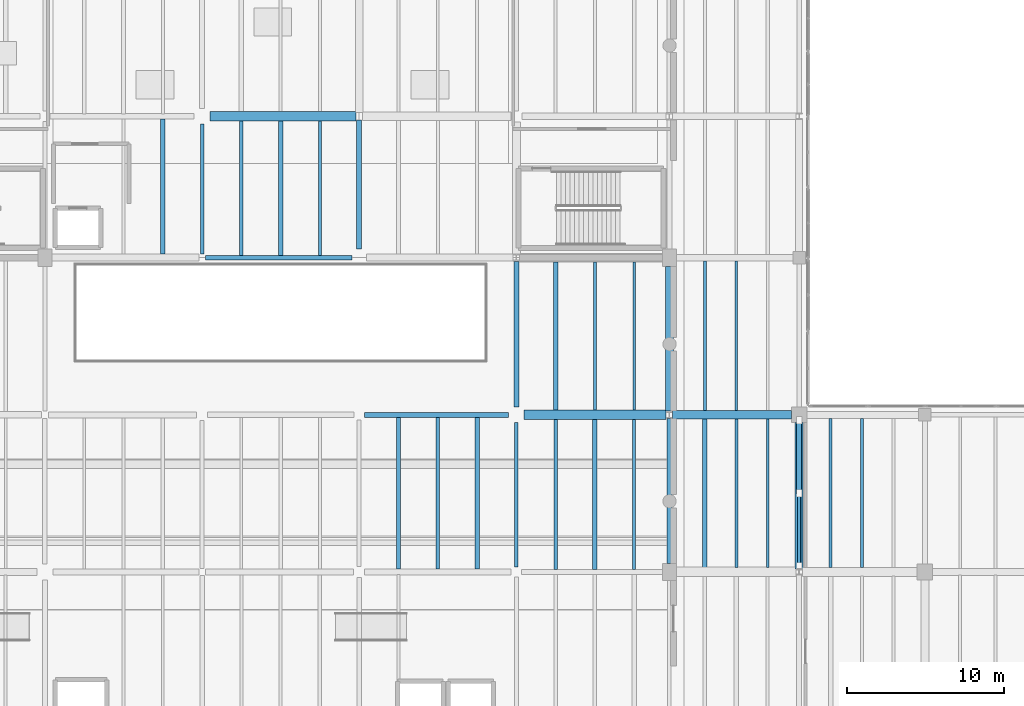
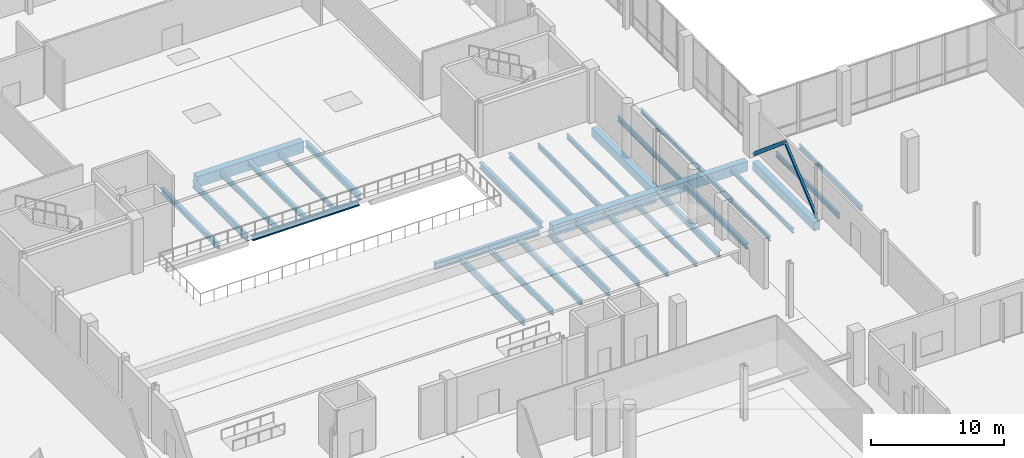
# One storey, part 44 of 88: 32 beams, 2 members.
"""IFC4 building model written with IfcOpenShell, lengths in metres."""

from ifc_helpers import new_model, si_unit, direction, frame, origin, origin_2d, place, context, subcontext, project, spatial, rectangle, hollow_rectangle, hollow_circle, i_section, extrude, material, material_profile, profile_set, type_object, element, save


model = new_model("IFC4")

# Units and contexts
model_context = context("Model", 3, precision=1e-05, world=origin(), true_north=direction((0.0, 1.0)))
body_context = subcontext(model_context, "Body", "Model", "MODEL_VIEW")
ifc_project = project(units=[si_unit("LENGTHUNIT", "METRE"), si_unit("AREAUNIT", "SQUARE_METRE"), si_unit("VOLUMEUNIT", "CUBIC_METRE"), si_unit("PLANEANGLEUNIT", "RADIAN"), si_unit("MASSUNIT", "GRAM", prefix="KILO")], contexts=[model_context])

# Site, building, storey
site_placement = place(None, origin())
site = spatial("IfcSite", under=ifc_project, at=site_placement, CompositionType="ELEMENT")
building_placement = place(site_placement, origin())
building = spatial("IfcBuilding", under=site, at=building_placement, Name="Trimount Lyric Opera House", CompositionType="ELEMENT")
storey_placement = place(building_placement, origin())
storey = spatial("IfcBuildingStorey", under=building, at=storey_placement, Name="L00", CompositionType="ELEMENT", Elevation=0.0)

# Beams
ifc_material_1 = material(Name="Steel ASTM A992 Grade 50", Category="steel")
ifc_material_profile_1 = material_profile(ifc_material_1, i_section(OverallWidth=0.327880859375, OverallDepth=0.626953125, WebThickness=0.0166015625, FlangeThickness=0.027587890625, FilletRadius=0.01611328125, at=origin_2d()), Name="W24X146")
ifc_profile_set_1 = profile_set([ifc_material_profile_1], Name="Steel ASTM A992 Grade 50")
beam_type_1 = type_object("IfcBeamType", Name="B-10", PredefinedType="BEAM", material=ifc_profile_set_1)
beam_1_placement = place(storey_placement, frame((94.324951171875, 74.0, -0.71337890625), z_axis=(1.0, 0.0, 0.0), x_axis=(0.0, 1.0, 0.0)))
element("IfcBeam", 1, at=beam_1_placement, inside=storey, type_object=beam_type_1, Name="L00 girder X-0151", PredefinedType="BEAM", context=body_context, shape_type="SweptSolid", body=[
    extrude(i_section(OverallWidth=0.327880859375, OverallDepth=0.626953125, WebThickness=0.0166015625, FlangeThickness=0.027587890625, FilletRadius=0.01611328125, at=origin_2d()), origin(), (0.0, 0.0, 1.0), 9.175048828125),
])
ifc_material_2 = material(Name="Steel ASTM A992 Grade 50", Category="steel")
ifc_material_profile_2 = material_profile(ifc_material_2, i_section(OverallWidth=0.22998046875, OverallDepth=0.616943359375, WebThickness=0.01318359375, FlangeThickness=0.022216796875, FilletRadius=0.013916015625, at=origin_2d()), Name="W24X94")
ifc_profile_set_2 = profile_set([ifc_material_profile_2], Name="Steel ASTM A992 Grade 50")
beam_type_2 = type_object("IfcBeamType", Name="B-11", PredefinedType="BEAM", material=ifc_profile_set_2)
beam_2_placement = place(storey_placement, frame((84.0, 84.232421875, -0.70849609375), z_axis=(0.0, 1.0, 0.0), x_axis=(-1.0, 0.0, 0.0)))
element("IfcBeam", 2, at=beam_2_placement, inside=storey, type_object=beam_type_2, Name="L00 girder Y-0341", PredefinedType="BEAM", context=body_context, shape_type="SweptSolid", body=[
    extrude(i_section(OverallWidth=0.22998046875, OverallDepth=0.616943359375, WebThickness=0.01318359375, FlangeThickness=0.022216796875, FilletRadius=0.013916015625, at=origin_2d()), origin(), (0.0, 0.0, 1.0), 8.267578125),
])
beam_3_placement = place(storey_placement, frame((104.0, 64.324951171875, -0.70849609375), z_axis=(0.0, 1.0, 0.0), x_axis=(-1.0, 0.0, 0.0)))
element("IfcBeam", 3, at=beam_3_placement, inside=storey, type_object=beam_type_2, Name="L00 girder Y-0364", PredefinedType="BEAM", context=body_context, shape_type="SweptSolid", body=[
    extrude(i_section(OverallWidth=0.22998046875, OverallDepth=0.616943359375, WebThickness=0.01318359375, FlangeThickness=0.022216796875, FilletRadius=0.013916015625, at=origin_2d()), origin(), (0.0, 0.0, 1.0), 9.175048828125),
])
ifc_material_3 = material(Name="Steel ASTM A992 Grade 50", Category="steel")
ifc_material_profile_3 = material_profile(ifc_material_3, i_section(OverallWidth=0.31201171875, OverallDepth=0.5458984375, WebThickness=0.013916015625, FlangeThickness=0.022216796875, FilletRadius=0.014892578125, at=origin_2d()), Name="W21X111")
ifc_profile_set_3 = profile_set([ifc_material_profile_3], Name="Steel ASTM A992 Grade 50")
beam_type_3 = type_object("IfcBeamType", Name="B-12", PredefinedType="BEAM", material=ifc_profile_set_3)
beam_4_placement = place(storey_placement, frame((94.0, 84.550048828125, -0.673095703125), z_axis=(0.0, 1.0, 0.0), x_axis=(-1.0, 0.0, 0.0)))
element("IfcBeam", 4, at=beam_4_placement, inside=storey, type_object=beam_type_3, Name="L00 girder Y-0353", PredefinedType="BEAM", context=body_context, shape_type="SweptSolid", body=[
    extrude(i_section(OverallWidth=0.31201171875, OverallDepth=0.5458984375, WebThickness=0.013916015625, FlangeThickness=0.022216796875, FilletRadius=0.014892578125, at=origin_2d()), origin(), (0.0, 0.0, 1.0), 8.217529296875),
])
beam_5_placement = place(storey_placement, frame((104.0, 74.5, -0.673095703125), z_axis=(0.0, 1.0, 0.0), x_axis=(-1.0, 0.0, 0.0)))
element("IfcBeam", 5, at=beam_5_placement, inside=storey, type_object=beam_type_3, Name="L00 girder Y-0365", PredefinedType="BEAM", context=body_context, shape_type="SweptSolid", body=[
    extrude(i_section(OverallWidth=0.31201171875, OverallDepth=0.5458984375, WebThickness=0.013916015625, FlangeThickness=0.022216796875, FilletRadius=0.014892578125, at=origin_2d()), origin(), (0.0, 0.0, 1.0), 9.267578125),
])
beam_6_placement = place(storey_placement, frame((113.739990234375, 64.550048828125, -0.673095703125), z_axis=(0.0, 1.0, 0.0), x_axis=(-1.0, 0.0, 0.0)))
element("IfcBeam", 6, at=beam_6_placement, inside=storey, type_object=beam_type_3, Name="L00 girder Y-0376", PredefinedType="BEAM", context=body_context, shape_type="SweptSolid", body=[
    extrude(i_section(OverallWidth=0.31201171875, OverallDepth=0.5458984375, WebThickness=0.013916015625, FlangeThickness=0.022216796875, FilletRadius=0.014892578125, at=origin_2d()), origin(), (0.0, 0.0, 1.0), 9.217529296875),
])
ifc_material_4 = material(Name="Concrete C40/50", Category="concrete")
ifc_material_profile_4 = material_profile(ifc_material_4, rectangle(XDim=0.60009765625, YDim=1.0, at=origin_2d()), Name="RC600X1000")
ifc_profile_set_4 = profile_set([ifc_material_profile_4], Name="Concrete C40/50")
beam_type_4 = type_object("IfcBeamType", Name="B-13", PredefinedType="BEAM", material=ifc_profile_set_4)
beam_7_placement = place(storey_placement, frame((104.5, 74.0, -0.89990234375), z_axis=(1.0, 0.0, 0.0), x_axis=(0.0, 1.0, 0.0)))
element("IfcBeam", 7, at=beam_7_placement, inside=storey, type_object=beam_type_4, Name="L00 girder X-0152", PredefinedType="BEAM", context=body_context, shape_type="SweptSolid", body=[
    extrude(rectangle(XDim=0.60009765625, YDim=1.0, at=origin_2d()), origin(), (0.0, 0.0, 1.0), 9.029052734375),
])
beam_8_placement = place(storey_placement, frame((84.5, 93.0, -0.89990234375), z_axis=(1.0, 0.0, 0.0), x_axis=(0.0, 1.0, 0.0)))
element("IfcBeam", 8, at=beam_8_placement, inside=storey, type_object=beam_type_4, Name="L00 girder X-0179", PredefinedType="BEAM", context=body_context, shape_type="SweptSolid", body=[
    extrude(rectangle(XDim=0.60009765625, YDim=1.0, at=origin_2d()), origin(), (0.0, 0.0, 1.0), 9.2890625),
])
ifc_material_5 = material(Name="Concrete C40/50", Category="concrete")
ifc_material_profile_5 = material_profile(ifc_material_5, rectangle(XDim=0.550048828125, YDim=0.89990234375, at=origin_2d()), Name="RC550X900")
ifc_profile_set_5 = profile_set([ifc_material_profile_5], Name="Concrete C40/50")
beam_type_5 = type_object("IfcBeamType", Name="B-14", PredefinedType="BEAM", material=ifc_profile_set_5)
beam_9_placement = place(storey_placement, frame((113.950927734375, 74.0, -0.85009765625), z_axis=(1.0, 0.0, 0.0), x_axis=(0.0, 1.0, 0.0)))
element("IfcBeam", 9, at=beam_9_placement, inside=storey, type_object=beam_type_5, Name="L00 girder X-0153", PredefinedType="BEAM", context=body_context, shape_type="SweptSolid", body=[
    extrude(rectangle(XDim=0.550048828125, YDim=0.89990234375, at=origin_2d()), origin(), (0.0, 0.0, 1.0), 7.549072265625),
])
ifc_material_6 = material(Name="Concrete C40/50", Category="concrete")
ifc_material_profile_6 = material_profile(ifc_material_6, rectangle(XDim=0.5, YDim=0.800048828125, at=origin_2d()), Name="RC500X800")
ifc_profile_set_6 = profile_set([ifc_material_profile_6], Name="Concrete C40/50")
beam_type_6 = type_object("IfcBeamType", Name="B-15", PredefinedType="BEAM", material=ifc_profile_set_6)
beam_10_placement = place(storey_placement, frame((113.739990234375, 74.232421875, -0.800048828125), z_axis=(0.0, 1.0, 0.0), x_axis=(-1.0, 0.0, 0.0)))
element("IfcBeam", 10, at=beam_10_placement, inside=storey, type_object=beam_type_6, Name="L00 girder Y-0377", PredefinedType="BEAM", context=body_context, shape_type="SweptSolid", body=[
    extrude(rectangle(XDim=0.5, YDim=0.800048828125, at=origin_2d()), origin(), (0.0, 0.0, 1.0), 9.217529296875),
])
beam_11_placement = place(storey_placement, frame((122.0, 64.193115234375, -0.780029296875), z_axis=(0.0, 1.0, 0.0), x_axis=(-1.0, 0.0, 0.0)))
element("IfcBeam", 11, at=beam_11_placement, inside=storey, type_object=beam_type_6, Name="L00 girder Y-0388", PredefinedType="BEAM", context=body_context, shape_type="SweptSolid", body=[
    extrude(rectangle(XDim=0.5, YDim=0.800048828125, at=origin_2d()), origin(), (0.0, 0.0, 1.0), 9.306884765625),
])

# Members
ifc_material_7 = material(Name="Steel ASTM A500 Grade C", Category="steel")
ifc_material_profile_7 = material_profile(ifc_material_7, hollow_rectangle(XDim=0.203125, YDim=0.203125, WallThickness=0.0087890625, InnerFilletRadius=0.00927734375, OuterFilletRadius=0.01806640625, at=origin_2d()), Name="HSS203.2X203.2X9.5")
ifc_profile_set_7 = profile_set([ifc_material_profile_7], Name="Steel ASTM A500 Grade C")
member_type_1 = type_object("IfcMemberType", Name="BR-04", PredefinedType="BRACE", material=ifc_profile_set_7)
member_1_placement = place(storey_placement, frame((122.0, 64.35009765625, 0.14990234375), z_axis=(0.0, 0.766173014074, 0.642634353661), x_axis=(-1.0, 0.0, 0.0)))
element("IfcMember", 12, at=member_1_placement, inside=storey, type_object=member_type_1, Name="L00 lateral chevron brace BF-3.1", PredefinedType="BRACE", context=body_context, shape_type="SweptSolid", body=[
    extrude(hollow_rectangle(XDim=0.203125, YDim=0.203125, WallThickness=0.0087890625, InnerFilletRadius=0.00927734375, OuterFilletRadius=0.01806640625, at=origin_2d()), origin(), (0.0, 0.0, 1.0), 6.069091796875),
])
ifc_material_8 = material(Name="Steel ASTM A500 Grade C", Category="steel")
ifc_material_profile_8 = material_profile(ifc_material_8, hollow_circle(Radius=0.161865234375, WallThickness=0.01171875, at=origin_2d()), Name="HSS323.9X12.7")
ifc_profile_set_8 = profile_set([ifc_material_profile_8], Name="Steel ASTM A500 Grade C")
member_type_2 = type_object("IfcMemberType", Name="BR-05", PredefinedType="BRACE", material=ifc_profile_set_8)
member_2_placement = place(storey_placement, frame((122.0, 73.64990234375, 0.14990234375), z_axis=(0.0, -0.766173014074, 0.642634353661), x_axis=(1.0, 0.0, 0.0)))
element("IfcMember", 13, at=member_2_placement, inside=storey, type_object=member_type_2, Name="L00 lateral chevron brace BF-3.2", PredefinedType="BRACE", context=body_context, shape_type="SweptSolid", body=[
    extrude(hollow_circle(Radius=0.161865234375, WallThickness=0.01171875, at=origin_2d()), origin(), (0.0, 0.0, 1.0), 6.069091796875),
])

# Beams
ifc_material_9 = material(Name="Steel ASTM A992 Grade 50", Category="steel")
ifc_material_profile_9 = material_profile(ifc_material_9, i_section(OverallWidth=0.22802734375, OverallDepth=0.60205078125, WebThickness=0.010498046875, FlangeThickness=0.014892578125, FilletRadius=0.012939453125, at=origin_2d()), Name="W24X68")
ifc_profile_set_9 = profile_set([ifc_material_profile_9], Name="Steel ASTM A992 Grade 50")
beam_type_7 = type_object("IfcBeamType", Name="J-01", PredefinedType="BEAM", material=ifc_profile_set_9)
beam_12_placement = place(storey_placement, frame((96.5, 64.174072265625, -0.700927734375), z_axis=(0.0, 1.0, 0.0), x_axis=(-1.0, 0.0, 0.0)))
element("IfcBeam", 14, at=beam_12_placement, inside=storey, type_object=beam_type_7, Name="L00 composite floor joist 0297", PredefinedType="BEAM", context=body_context, shape_type="SweptSolid", body=[
    extrude(i_section(OverallWidth=0.22802734375, OverallDepth=0.60205078125, WebThickness=0.010498046875, FlangeThickness=0.014892578125, FilletRadius=0.012939453125, at=origin_2d()), origin(), (0.0, 0.0, 1.0), 9.666015625),
])
ifc_material_10 = material(Name="Steel ASTM A992 Grade 50", Category="steel")
ifc_material_profile_10 = material_profile(ifc_material_10, i_section(OverallWidth=0.2099609375, OverallDepth=0.532958984375, WebThickness=0.01025390625, FlangeThickness=0.015625, FilletRadius=0.012939453125, at=origin_2d()), Name="W21X62")
ifc_profile_set_10 = profile_set([ifc_material_profile_10], Name="Steel ASTM A992 Grade 50")
beam_type_8 = type_object("IfcBeamType", Name="J-02", PredefinedType="BEAM", material=ifc_profile_set_10)
beam_13_placement = place(storey_placement, frame((86.5, 84.136962890625, -0.66650390625), z_axis=(0.0, 1.0, 0.0), x_axis=(-1.0, 0.0, 0.0)))
element("IfcBeam", 15, at=beam_13_placement, inside=storey, type_object=beam_type_8, Name="L00 composite floor joist 0266", PredefinedType="BEAM", context=body_context, shape_type="SweptSolid", body=[
    extrude(i_section(OverallWidth=0.2099609375, OverallDepth=0.532958984375, WebThickness=0.01025390625, FlangeThickness=0.015625, FilletRadius=0.012939453125, at=origin_2d()), origin(), (0.0, 0.0, 1.0), 8.567138671875),
])
beam_14_placement = place(storey_placement, frame((99.0, 64.174072265625, -0.66650390625), z_axis=(0.0, 1.0, 0.0), x_axis=(-1.0, 0.0, 0.0)))
element("IfcBeam", 16, at=beam_14_placement, inside=storey, type_object=beam_type_8, Name="L00 composite floor joist 0298", PredefinedType="BEAM", context=body_context, shape_type="SweptSolid", body=[
    extrude(i_section(OverallWidth=0.2099609375, OverallDepth=0.532958984375, WebThickness=0.01025390625, FlangeThickness=0.015625, FilletRadius=0.012939453125, at=origin_2d()), origin(), (0.0, 0.0, 1.0), 9.666015625),
])
beam_15_placement = place(storey_placement, frame((106.5, 64.159912109375, -0.66650390625), z_axis=(0.0, 1.0, 0.0), x_axis=(-1.0, 0.0, 0.0)))
element("IfcBeam", 17, at=beam_15_placement, inside=storey, type_object=beam_type_8, Name="L00 composite floor joist 0327", PredefinedType="BEAM", context=body_context, shape_type="SweptSolid", body=[
    extrude(i_section(OverallWidth=0.2099609375, OverallDepth=0.532958984375, WebThickness=0.01025390625, FlangeThickness=0.015625, FilletRadius=0.012939453125, at=origin_2d()), origin(), (0.0, 0.0, 1.0), 9.544189453125),
])
ifc_material_11 = material(Name="Steel ASTM A992 Grade 50", Category="steel")
ifc_material_profile_11 = material_profile(ifc_material_11, i_section(OverallWidth=0.281982421875, OverallDepth=0.467041015625, WebThickness=0.01220703125, FlangeThickness=0.01953125, FilletRadius=0.012939453125, at=origin_2d()), Name="W18X86")
ifc_profile_set_11 = profile_set([ifc_material_profile_11], Name="Steel ASTM A992 Grade 50")
beam_type_9 = type_object("IfcBeamType", Name="J-03", PredefinedType="BEAM", material=ifc_profile_set_11)
beam_16_placement = place(storey_placement, frame((81.5, 84.220947265625, -0.633544921875), z_axis=(0.0, 1.0, 0.0), x_axis=(-1.0, 0.0, 0.0)))
element("IfcBeam", 18, at=beam_16_placement, inside=storey, type_object=beam_type_9, Name="L00 composite floor joist 0238", PredefinedType="BEAM", context=body_context, shape_type="SweptSolid", body=[
    extrude(i_section(OverallWidth=0.281982421875, OverallDepth=0.467041015625, WebThickness=0.01220703125, FlangeThickness=0.01953125, FilletRadius=0.012939453125, at=origin_2d()), origin(), (0.0, 0.0, 1.0), 8.619140625),
])
beam_17_placement = place(storey_placement, frame((89.0, 84.136962890625, -0.633544921875), z_axis=(0.0, 1.0, 0.0), x_axis=(-1.0, 0.0, 0.0)))
element("IfcBeam", 19, at=beam_17_placement, inside=storey, type_object=beam_type_9, Name="L00 composite floor joist 0267", PredefinedType="BEAM", context=body_context, shape_type="SweptSolid", body=[
    extrude(i_section(OverallWidth=0.281982421875, OverallDepth=0.467041015625, WebThickness=0.01220703125, FlangeThickness=0.01953125, FilletRadius=0.012939453125, at=origin_2d()), origin(), (0.0, 0.0, 1.0), 8.567138671875),
])
beam_18_placement = place(storey_placement, frame((101.5, 64.174072265625, -0.633544921875), z_axis=(0.0, 1.0, 0.0), x_axis=(-1.0, 0.0, 0.0)))
element("IfcBeam", 20, at=beam_18_placement, inside=storey, type_object=beam_type_9, Name="L00 composite floor joist 0299", PredefinedType="BEAM", context=body_context, shape_type="SweptSolid", body=[
    extrude(i_section(OverallWidth=0.281982421875, OverallDepth=0.467041015625, WebThickness=0.01220703125, FlangeThickness=0.01953125, FilletRadius=0.012939453125, at=origin_2d()), origin(), (0.0, 0.0, 1.0), 9.666015625),
])
beam_19_placement = place(storey_placement, frame((109.0, 64.159912109375, -0.633544921875), z_axis=(0.0, 1.0, 0.0), x_axis=(-1.0, 0.0, 0.0)))
element("IfcBeam", 21, at=beam_19_placement, inside=storey, type_object=beam_type_9, Name="L00 composite floor joist 0328", PredefinedType="BEAM", context=body_context, shape_type="SweptSolid", body=[
    extrude(i_section(OverallWidth=0.281982421875, OverallDepth=0.467041015625, WebThickness=0.01220703125, FlangeThickness=0.01953125, FilletRadius=0.012939453125, at=origin_2d()), origin(), (0.0, 0.0, 1.0), 9.544189453125),
])
for number, where, z_axis, x_axis, name in (
    (22, (106.5, 74.2958984375, -0.633544921875), (0.0, 1.0, 0.0), (-1.0, 0.0, 0.0), "L00 composite floor joist 0330"),
    (23, (116.0, 64.2958984375, -0.613525390625), (0.0, 1.0, 0.0), (-1.0, 0.0, 0.0), "L00 composite floor joist 0357"),
):
    element("IfcBeam", number, at=place(storey_placement, frame(where, z_axis=z_axis, x_axis=x_axis)), inside=storey, type_object=beam_type_9, Name=name, PredefinedType="BEAM", context=body_context, shape_type="SweptSolid", body=[
        extrude(i_section(OverallWidth=0.281982421875, OverallDepth=0.467041015625, WebThickness=0.01220703125, FlangeThickness=0.01953125, FilletRadius=0.012939453125, at=origin_2d()), origin(), (0.0, 0.0, 1.0), 9.43310546875),
    ])
ifc_material_12 = material(Name="Steel ASTM A992 Grade 50", Category="steel")
ifc_material_profile_12 = material_profile(ifc_material_12, i_section(OverallWidth=0.19091796875, OverallDepth=0.45703125, WebThickness=0.009033203125, FlangeThickness=0.014404296875, FilletRadius=0.010986328125, at=origin_2d()), Name="W18X50")
ifc_profile_set_12 = profile_set([ifc_material_profile_12], Name="Steel ASTM A992 Grade 50")
beam_type_10 = type_object("IfcBeamType", Name="J-04", PredefinedType="BEAM", material=ifc_profile_set_12)
beam_20_placement = place(storey_placement, frame((91.5, 84.136962890625, -0.62841796875), z_axis=(0.0, 1.0, 0.0), x_axis=(-1.0, 0.0, 0.0)))
element("IfcBeam", 24, at=beam_20_placement, inside=storey, type_object=beam_type_10, Name="L00 composite floor joist 0268", PredefinedType="BEAM", context=body_context, shape_type="SweptSolid", body=[
    extrude(i_section(OverallWidth=0.19091796875, OverallDepth=0.45703125, WebThickness=0.009033203125, FlangeThickness=0.014404296875, FilletRadius=0.010986328125, at=origin_2d()), origin(), (0.0, 0.0, 1.0), 8.567138671875),
])
beam_21_placement = place(storey_placement, frame((111.5, 64.159912109375, -0.62841796875), z_axis=(0.0, 1.0, 0.0), x_axis=(-1.0, 0.0, 0.0)))
element("IfcBeam", 25, at=beam_21_placement, inside=storey, type_object=beam_type_10, Name="L00 composite floor joist 0329", PredefinedType="BEAM", context=body_context, shape_type="SweptSolid", body=[
    extrude(i_section(OverallWidth=0.19091796875, OverallDepth=0.45703125, WebThickness=0.009033203125, FlangeThickness=0.014404296875, FilletRadius=0.010986328125, at=origin_2d()), origin(), (0.0, 0.0, 1.0), 9.544189453125),
])
for number, where, z_axis, x_axis, name in (
    (26, (109.0, 74.2958984375, -0.62841796875), (0.0, 1.0, 0.0), (-1.0, 0.0, 0.0), "L00 composite floor joist 0331"),
    (27, (118.0, 64.2958984375, -0.6083984375), (0.0, 1.0, 0.0), (-1.0, 0.0, 0.0), "L00 composite floor joist 0358"),
):
    element("IfcBeam", number, at=place(storey_placement, frame(where, z_axis=z_axis, x_axis=x_axis)), inside=storey, type_object=beam_type_10, Name=name, PredefinedType="BEAM", context=body_context, shape_type="SweptSolid", body=[
        extrude(i_section(OverallWidth=0.19091796875, OverallDepth=0.45703125, WebThickness=0.009033203125, FlangeThickness=0.014404296875, FilletRadius=0.010986328125, at=origin_2d()), origin(), (0.0, 0.0, 1.0), 9.43310546875),
    ])
beam_22_placement = place(storey_placement, frame((116.0, 74.27099609375, -0.6083984375), z_axis=(0.0, 1.0, 0.0), x_axis=(-1.0, 0.0, 0.0)))
element("IfcBeam", 28, at=beam_22_placement, inside=storey, type_object=beam_type_10, Name="L00 composite floor joist 0360", PredefinedType="BEAM", context=body_context, shape_type="SweptSolid", body=[
    extrude(i_section(OverallWidth=0.19091796875, OverallDepth=0.45703125, WebThickness=0.009033203125, FlangeThickness=0.014404296875, FilletRadius=0.010986328125, at=origin_2d()), origin(), (0.0, 0.0, 1.0), 9.5234375),
])
beam_23_placement = place(storey_placement, frame((124.0, 64.27099609375, -0.6083984375), z_axis=(0.0, 1.0, 0.0), x_axis=(-1.0, 0.0, 0.0)))
element("IfcBeam", 29, at=beam_23_placement, inside=storey, type_object=beam_type_10, Name="L00 composite floor joist 0390", PredefinedType="BEAM", context=body_context, shape_type="SweptSolid", body=[
    extrude(i_section(OverallWidth=0.19091796875, OverallDepth=0.45703125, WebThickness=0.009033203125, FlangeThickness=0.014404296875, FilletRadius=0.010986328125, at=origin_2d()), origin(), (0.0, 0.0, 1.0), 9.508056640625),
])
ifc_material_13 = material(Name="Steel ASTM A992 Grade 50", Category="steel")
ifc_material_profile_13 = material_profile(ifc_material_13, i_section(OverallWidth=0.180908203125, OverallDepth=0.4169921875, WebThickness=0.010986328125, FlangeThickness=0.018310546875, FilletRadius=0.010986328125, at=origin_2d()), Name="W16X57")
ifc_profile_set_13 = profile_set([ifc_material_profile_13], Name="Steel ASTM A992 Grade 50")
beam_type_11 = type_object("IfcBeamType", Name="J-05", PredefinedType="BEAM", material=ifc_profile_set_13)
for number, where, z_axis, x_axis, name in (
    (30, (111.5, 74.2958984375, -0.6083984375), (0.0, 1.0, 0.0), (-1.0, 0.0, 0.0), "L00 composite floor joist 0332"),
    (31, (120.0, 64.2958984375, -0.58837890625), (0.0, 1.0, 0.0), (-1.0, 0.0, 0.0), "L00 composite floor joist 0359"),
):
    element("IfcBeam", number, at=place(storey_placement, frame(where, z_axis=z_axis, x_axis=x_axis)), inside=storey, type_object=beam_type_11, Name=name, PredefinedType="BEAM", context=body_context, shape_type="SweptSolid", body=[
        extrude(i_section(OverallWidth=0.180908203125, OverallDepth=0.4169921875, WebThickness=0.010986328125, FlangeThickness=0.018310546875, FilletRadius=0.010986328125, at=origin_2d()), origin(), (0.0, 0.0, 1.0), 9.43310546875),
    ])
beam_24_placement = place(storey_placement, frame((118.0, 74.27099609375, -0.58837890625), z_axis=(0.0, 1.0, 0.0), x_axis=(-1.0, 0.0, 0.0)))
element("IfcBeam", 32, at=beam_24_placement, inside=storey, type_object=beam_type_11, Name="L00 composite floor joist 0361", PredefinedType="BEAM", context=body_context, shape_type="SweptSolid", body=[
    extrude(i_section(OverallWidth=0.180908203125, OverallDepth=0.4169921875, WebThickness=0.010986328125, FlangeThickness=0.018310546875, FilletRadius=0.010986328125, at=origin_2d()), origin(), (0.0, 0.0, 1.0), 9.5234375),
])
beam_25_placement = place(storey_placement, frame((126.0, 64.27099609375, -0.58837890625), z_axis=(0.0, 1.0, 0.0), x_axis=(-1.0, 0.0, 0.0)))
element("IfcBeam", 33, at=beam_25_placement, inside=storey, type_object=beam_type_11, Name="L00 composite floor joist 0391", PredefinedType="BEAM", context=body_context, shape_type="SweptSolid", body=[
    extrude(i_section(OverallWidth=0.180908203125, OverallDepth=0.4169921875, WebThickness=0.010986328125, FlangeThickness=0.018310546875, FilletRadius=0.010986328125, at=origin_2d()), origin(), (0.0, 0.0, 1.0), 9.508056640625),
])
ifc_material_14 = material(Name="Steel ASTM A992 Grade 50", Category="steel")
ifc_material_profile_14 = material_profile(ifc_material_14, i_section(OverallWidth=0.281982421875, OverallDepth=0.467041015625, WebThickness=0.01220703125, FlangeThickness=0.01953125, FilletRadius=0.012939453125, at=origin_2d()), Name="W18X86")
ifc_profile_set_14 = profile_set([ifc_material_profile_14], Name="Steel ASTM A992 Grade 50")
beam_type_12 = type_object("IfcBeamType", Name="SP-01", PredefinedType="SPANDREL", material=ifc_profile_set_14)
beam_26_placement = place(storey_placement, frame((84.2109375, 84.0, -0.633544921875), z_axis=(1.0, 0.0, 0.0), x_axis=(0.0, 1.0, 0.0)))
element("IfcBeam", 34, at=beam_26_placement, inside=storey, type_object=beam_type_12, Name="L00 girder X-0166", PredefinedType="SPANDREL", context=body_context, shape_type="SweptSolid", body=[
    extrude(i_section(OverallWidth=0.281982421875, OverallDepth=0.467041015625, WebThickness=0.01220703125, FlangeThickness=0.01953125, FilletRadius=0.012939453125, at=origin_2d()), origin(), (0.0, 0.0, 1.0), 9.339111328125),
])

save(model, "model.ifc")
